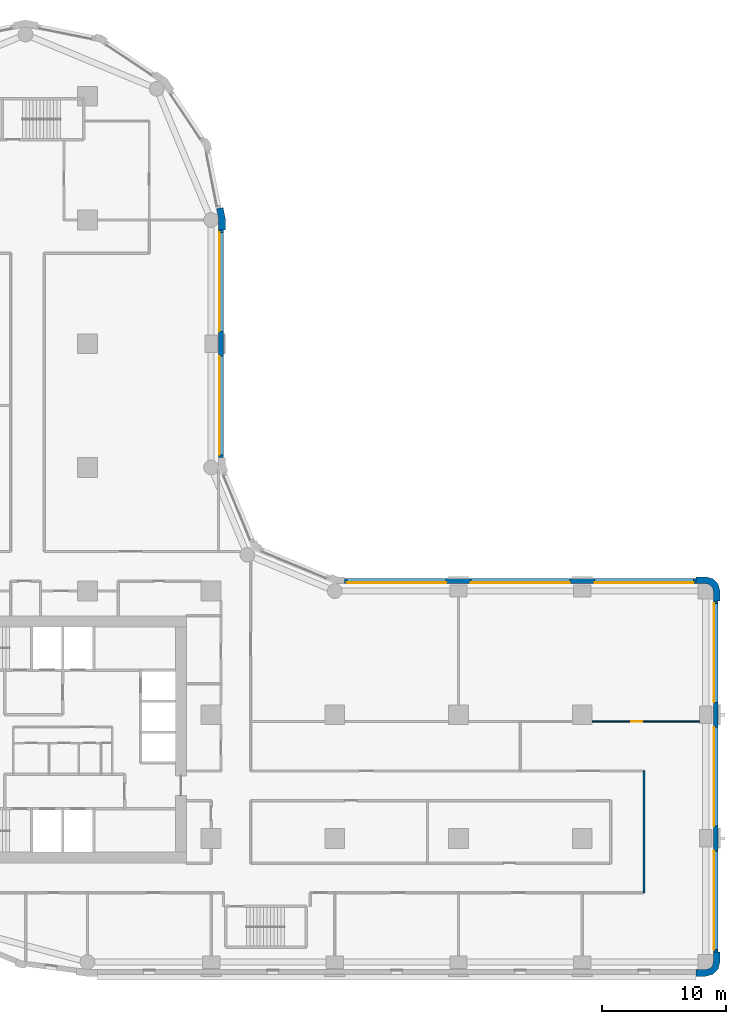
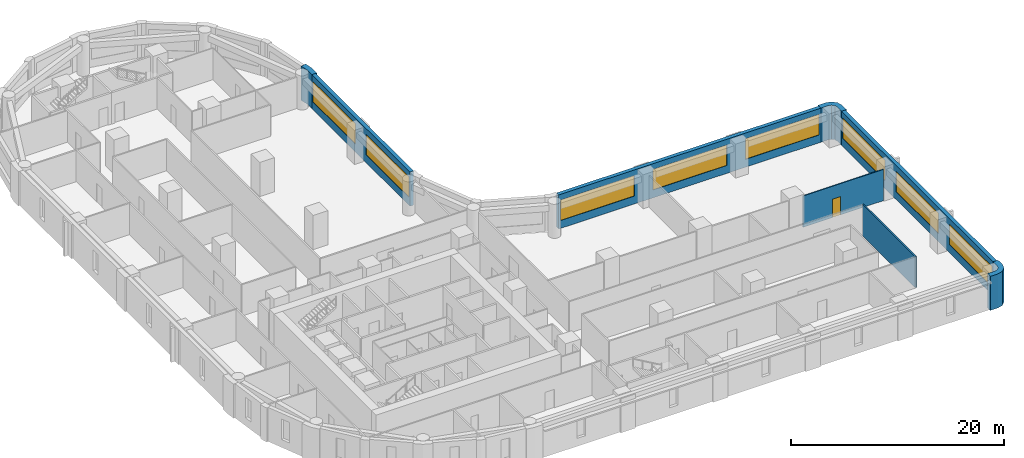
# One storey, part 7 of 11: 8 walls, 8 windows, 1 door, 9 openings.
"""IFC4 building model written with IfcOpenShell, lengths in metres."""

from ifc_helpers import new_model, si_unit, direction, frame, frame_2d, origin, place, context, subcontext, project, spatial, polyline, rectangle, outline, extrude, material, layer, layer_set, type_object, element, fill, save


model = new_model("IFC4")

# Units and contexts
model_context = context("Model", 3, precision=1e-05, world=origin(), true_north=direction((0.0, 1.0)))
body_context = subcontext(model_context, "Body", "Model", "MODEL_VIEW")
ifc_project = project(units=[si_unit("LENGTHUNIT", "METRE"), si_unit("AREAUNIT", "SQUARE_METRE"), si_unit("VOLUMEUNIT", "CUBIC_METRE"), si_unit("PLANEANGLEUNIT", "RADIAN"), si_unit("MASSUNIT", "GRAM", prefix="KILO")], contexts=[model_context])

# Site, building, storey
site_placement = place(None, origin())
site = spatial("IfcSite", under=ifc_project, at=site_placement, CompositionType="ELEMENT")
building_placement = place(site_placement, origin())
building = spatial("IfcBuilding", under=site, at=building_placement, Name="Qaws Garden Tower", CompositionType="ELEMENT")
storey_placement = place(building_placement, frame((0.0, 0.0, 23.699951171875)))
storey = spatial("IfcBuildingStorey", under=building, at=storey_placement, Name="L05", CompositionType="ELEMENT", Elevation=23.699951171875)

# Walls
ifc_material_1 = material(Name="Clay facing brick masonry", Category="masonry")
ifc_layer_1 = layer(ifc_material_1, 0.550048828125)
ifc_layer_set_1 = layer_set([ifc_layer_1], Name="Clay facing brick masonry")
wall_type_1 = type_object("IfcWallType", Name="Brick corner pier 550 x 2400", PredefinedType="SOLIDWALL", material=ifc_layer_set_1)
placement = place(storey_placement, origin())
element("IfcWall", 1, at=placement, inside=storey, type_object=wall_type_1, Name="E-L05-pier-05", PredefinedType="SOLIDWALL", context=body_context, shape_type="SweptSolid", body=[
    extrude(outline(polyline([(69.199951171875, -1.0), (69.199951171875, -1.14990234375), (70.0, -1.14990234375), (70.574951171875, -0.995849609375), (70.995849609375, -0.574951171875), (71.14990234375, 0.0), (71.14990234375, 0.800048828125), (71.0, 0.800048828125), (70.60009765625, 0.800048828125), (70.60009765625, 0.0), (70.51953125, -0.300048828125), (70.300048828125, -0.51953125), (70.0, -0.60009765625), (69.199951171875, -0.60009765625), (69.199951171875, -1.0)])), origin(), (0.0, 0.0, 1.0), 3.900146484375),
])
element("IfcWall", 2, at=placement, inside=storey, type_object=wall_type_1, Name="E-L05-pier-08", PredefinedType="SOLIDWALL", context=body_context, shape_type="SweptSolid", body=[
    extrude(outline(polyline([(71.0, 29.199951171875), (71.14990234375, 29.199951171875), (71.14990234375, 30.0), (70.995849609375, 30.574951171875), (70.574951171875, 30.995849609375), (70.0, 31.14990234375), (69.199951171875, 31.14990234375), (69.199951171875, 31.0), (69.199951171875, 30.60009765625), (70.0, 30.60009765625), (70.300048828125, 30.51953125), (70.51953125, 30.300048828125), (70.60009765625, 30.0), (70.60009765625, 29.199951171875), (71.0, 29.199951171875)])), origin(), (0.0, 0.0, 1.0), 3.900146484375),
])

# Wall, openings, windows
ifc_material_2 = material(Name="Clay facing brick masonry", Category="masonry")
ifc_layer_2 = layer(ifc_material_2, 0.39990234375)
ifc_layer_set_2 = layer_set([ifc_layer_2], Name="Clay facing brick masonry")
wall_type_2 = type_object("IfcWallType", Name="Brick infill wall 400", PredefinedType="SOLIDWALL", material=ifc_layer_set_2)
wall_3_placement = place(storey_placement, frame((70.800048828125, 0.800048828125, 0.0), z_axis=(0.0, 0.0, 1.0), x_axis=(0.0, 1.0, 0.0)))
wall_3 = element("IfcWall", 3, at=wall_3_placement, inside=storey, type_object=wall_type_2, Name="E-L05-infill-05", PredefinedType="SOLIDWALL", context=body_context, shape_type="SweptSolid", body=[
    extrude(rectangle(XDim=28.39990234375, YDim=0.39990234375, at=frame_2d((14.199951171875, 0.0))), origin(), (0.0, 0.0, 1.0), 3.900146484375),
])
opening_1_placement = place(wall_3_placement, frame((0.199951171875, 0.0, 0.89990234375)))
opening_1 = element("IfcOpeningElement", 4, at=opening_1_placement, cuts=wall_3, Name="Opening W01", PredefinedType="OPENING", context=body_context, shape_type="SweptSolid", body=[
    extrude(rectangle(XDim=8.0, YDim=2.35009765625, at=frame_2d((4.0, 1.175048828125))), frame((0.0, 0.2099609375, 0.0), z_axis=(0.0, -1.0, 0.0), x_axis=(1.0, 0.0, 0.0)), (0.0, 0.0, 1.0), 0.419921875),
])
opening_2_placement = place(wall_3_placement, frame((10.199951171875, 0.0, 0.89990234375)))
opening_2 = element("IfcOpeningElement", 5, at=opening_2_placement, cuts=wall_3, Name="Opening W01", PredefinedType="OPENING", context=body_context, shape_type="SweptSolid", body=[
    extrude(rectangle(XDim=8.0, YDim=2.35009765625, at=frame_2d((4.0, 1.175048828125))), frame((0.0, 0.2099609375, 0.0), z_axis=(0.0, -1.0, 0.0), x_axis=(1.0, 0.0, 0.0)), (0.0, 0.0, 1.0), 0.419921875),
])
opening_3_placement = place(wall_3_placement, frame((20.199951171875, 0.0, 0.89990234375)))
opening_3 = element("IfcOpeningElement", 6, at=opening_3_placement, cuts=wall_3, Name="Opening W01", PredefinedType="OPENING", context=body_context, shape_type="SweptSolid", body=[
    extrude(rectangle(XDim=8.0, YDim=2.35009765625, at=frame_2d((4.0, 1.175048828125))), frame((0.0, 0.2099609375, 0.0), z_axis=(0.0, -1.0, 0.0), x_axis=(1.0, 0.0, 0.0)), (0.0, 0.0, 1.0), 0.419921875),
])
ifc_material_3 = material(Name="Aluminium framed window, clear glazing", Category="aluminium")
window_type = type_object("IfcWindowType", Name="Ribbon window 8000 x 2350", PartitioningType="DOUBLE_PANEL_VERTICAL", PredefinedType="WINDOW", material=ifc_material_3)
window_1_placement = place(opening_1_placement, origin())
window_1 = element("IfcWindow", 7, at=window_1_placement, inside=storey, type_object=window_type, Name="E-L05-window-05-0", OverallHeight=2.35009765625, OverallWidth=8.0, PartitioningType="SINGLE_PANEL", PredefinedType="WINDOW", context=body_context, shape_type="SweptSolid", body=[
    extrude(rectangle(XDim=8.0, YDim=2.35009765625, at=frame_2d((4.0, 1.175048828125))), frame((0.0, 0.159912109375, 0.0), z_axis=(0.0, -1.0, 0.0), x_axis=(1.0, 0.0, 0.0)), (0.0, 0.0, 1.0), 0.06005859375),
])
fill(opening_1, window_1)
window_2_placement = place(opening_2_placement, origin())
window_2 = element("IfcWindow", 8, at=window_2_placement, inside=storey, type_object=window_type, Name="E-L05-window-06-0", OverallHeight=2.35009765625, OverallWidth=8.0, PartitioningType="SINGLE_PANEL", PredefinedType="WINDOW", context=body_context, shape_type="SweptSolid", body=[
    extrude(rectangle(XDim=8.0, YDim=2.35009765625, at=frame_2d((4.0, 1.175048828125))), frame((0.0, 0.159912109375, 0.0), z_axis=(0.0, -1.0, 0.0), x_axis=(1.0, 0.0, 0.0)), (0.0, 0.0, 1.0), 0.06005859375),
])
fill(opening_2, window_2)
window_3_placement = place(opening_3_placement, origin())
window_3 = element("IfcWindow", 9, at=window_3_placement, inside=storey, type_object=window_type, Name="E-L05-window-07-0", OverallHeight=2.35009765625, OverallWidth=8.0, PartitioningType="SINGLE_PANEL", PredefinedType="WINDOW", context=body_context, shape_type="SweptSolid", body=[
    extrude(rectangle(XDim=8.0, YDim=2.35009765625, at=frame_2d((4.0, 1.175048828125))), frame((0.0, 0.159912109375, 0.0), z_axis=(0.0, -1.0, 0.0), x_axis=(1.0, 0.0, 0.0)), (0.0, 0.0, 1.0), 0.06005859375),
])
fill(opening_3, window_3)

wall_4_placement = place(storey_placement, frame((69.199951171875, 30.800048828125, 0.0), z_axis=(0.0, 0.0, 1.0), x_axis=(-1.0, 0.0, 0.0)))
wall_4 = element("IfcWall", 10, at=wall_4_placement, inside=storey, type_object=wall_type_2, Name="E-L05-infill-08", PredefinedType="SOLIDWALL", context=body_context, shape_type="SweptSolid", body=[
    extrude(rectangle(XDim=28.39990234375, YDim=0.39990234375, at=frame_2d((14.199951171875, 0.0))), origin(), (0.0, 0.0, 1.0), 3.900146484375),
])
opening_4_placement = place(wall_4_placement, frame((0.199951171875, 0.0, 0.89990234375)))
opening_4 = element("IfcOpeningElement", 11, at=opening_4_placement, cuts=wall_4, Name="Opening W01", PredefinedType="OPENING", context=body_context, shape_type="SweptSolid", body=[
    extrude(rectangle(XDim=8.0, YDim=2.35009765625, at=frame_2d((4.0, 1.175048828125))), frame((0.0, 0.2099609375, 0.0), z_axis=(0.0, -1.0, 0.0), x_axis=(1.0, 0.0, 0.0)), (0.0, 0.0, 1.0), 0.419921875),
])
opening_5_placement = place(wall_4_placement, frame((10.199951171875, 0.0, 0.89990234375)))
opening_5 = element("IfcOpeningElement", 12, at=opening_5_placement, cuts=wall_4, Name="Opening W01", PredefinedType="OPENING", context=body_context, shape_type="SweptSolid", body=[
    extrude(rectangle(XDim=8.0, YDim=2.35009765625, at=frame_2d((4.0, 1.175048828125))), frame((0.0, 0.2099609375, 0.0), z_axis=(0.0, -1.0, 0.0), x_axis=(1.0, 0.0, 0.0)), (0.0, 0.0, 1.0), 0.419921875),
])
opening_6_placement = place(wall_4_placement, frame((20.199951171875, 0.0, 0.89990234375)))
opening_6 = element("IfcOpeningElement", 13, at=opening_6_placement, cuts=wall_4, Name="Opening W01", PredefinedType="OPENING", context=body_context, shape_type="SweptSolid", body=[
    extrude(rectangle(XDim=8.0, YDim=2.35009765625, at=frame_2d((4.0, 1.175048828125))), frame((0.0, 0.2099609375, 0.0), z_axis=(0.0, -1.0, 0.0), x_axis=(1.0, 0.0, 0.0)), (0.0, 0.0, 1.0), 0.419921875),
])
window_4_placement = place(opening_4_placement, origin())
window_4 = element("IfcWindow", 14, at=window_4_placement, inside=storey, type_object=window_type, Name="E-L05-window-08-0", OverallHeight=2.35009765625, OverallWidth=8.0, PartitioningType="SINGLE_PANEL", PredefinedType="WINDOW", context=body_context, shape_type="SweptSolid", body=[
    extrude(rectangle(XDim=8.0, YDim=2.35009765625, at=frame_2d((4.0, 1.175048828125))), frame((0.0, 0.159912109375, 0.0), z_axis=(0.0, -1.0, 0.0), x_axis=(1.0, 0.0, 0.0)), (0.0, 0.0, 1.0), 0.06005859375),
])
fill(opening_4, window_4)
window_5_placement = place(opening_5_placement, origin())
window_5 = element("IfcWindow", 15, at=window_5_placement, inside=storey, type_object=window_type, Name="E-L05-window-09-0", OverallHeight=2.35009765625, OverallWidth=8.0, PartitioningType="SINGLE_PANEL", PredefinedType="WINDOW", context=body_context, shape_type="SweptSolid", body=[
    extrude(rectangle(XDim=8.0, YDim=2.35009765625, at=frame_2d((4.0, 1.175048828125))), frame((0.0, 0.159912109375, 0.0), z_axis=(0.0, -1.0, 0.0), x_axis=(1.0, 0.0, 0.0)), (0.0, 0.0, 1.0), 0.06005859375),
])
fill(opening_5, window_5)
window_6_placement = place(opening_6_placement, origin())
window_6 = element("IfcWindow", 16, at=window_6_placement, inside=storey, type_object=window_type, Name="E-L05-window-10-0", OverallHeight=2.35009765625, OverallWidth=8.0, PartitioningType="SINGLE_PANEL", PredefinedType="WINDOW", context=body_context, shape_type="SweptSolid", body=[
    extrude(rectangle(XDim=8.0, YDim=2.35009765625, at=frame_2d((4.0, 1.175048828125))), frame((0.0, 0.159912109375, 0.0), z_axis=(0.0, -1.0, 0.0), x_axis=(1.0, 0.0, 0.0)), (0.0, 0.0, 1.0), 0.06005859375),
])
fill(opening_6, window_6)

wall_5_placement = place(storey_placement, frame((30.800048828125, 40.800048828125, 0.0), z_axis=(0.0, 0.0, 1.0), x_axis=(0.0, 1.0, 0.0)))
wall_5 = element("IfcWall", 17, at=wall_5_placement, inside=storey, type_object=wall_type_2, Name="E-L05-infill-13", PredefinedType="SOLIDWALL", context=body_context, shape_type="SweptSolid", body=[
    extrude(rectangle(XDim=18.39990234375, YDim=0.39990234375, at=frame_2d((9.199951171875, 0.0))), origin(), (0.0, 0.0, 1.0), 3.900146484375),
])
opening_7_placement = place(wall_5_placement, frame((0.199951171875, 0.0, 0.89990234375)))
opening_7 = element("IfcOpeningElement", 18, at=opening_7_placement, cuts=wall_5, Name="Opening W01", PredefinedType="OPENING", context=body_context, shape_type="SweptSolid", body=[
    extrude(rectangle(XDim=8.0, YDim=2.35009765625, at=frame_2d((4.0, 1.175048828125))), frame((0.0, 0.2099609375, 0.0), z_axis=(0.0, -1.0, 0.0), x_axis=(1.0, 0.0, 0.0)), (0.0, 0.0, 1.0), 0.419921875),
])
opening_8_placement = place(wall_5_placement, frame((10.199951171875, 0.0, 0.89990234375)))
opening_8 = element("IfcOpeningElement", 19, at=opening_8_placement, cuts=wall_5, Name="Opening W01", PredefinedType="OPENING", context=body_context, shape_type="SweptSolid", body=[
    extrude(rectangle(XDim=8.0, YDim=2.35009765625, at=frame_2d((4.0, 1.175048828125))), frame((0.0, 0.2099609375, 0.0), z_axis=(0.0, -1.0, 0.0), x_axis=(1.0, 0.0, 0.0)), (0.0, 0.0, 1.0), 0.419921875),
])
window_7_placement = place(opening_7_placement, origin())
window_7 = element("IfcWindow", 20, at=window_7_placement, inside=storey, type_object=window_type, Name="E-L05-window-13-0", OverallHeight=2.35009765625, OverallWidth=8.0, PartitioningType="SINGLE_PANEL", PredefinedType="WINDOW", context=body_context, shape_type="SweptSolid", body=[
    extrude(rectangle(XDim=8.0, YDim=2.35009765625, at=frame_2d((4.0, 1.175048828125))), frame((0.0, 0.159912109375, 0.0), z_axis=(0.0, -1.0, 0.0), x_axis=(1.0, 0.0, 0.0)), (0.0, 0.0, 1.0), 0.06005859375),
])
fill(opening_7, window_7)
window_8_placement = place(opening_8_placement, origin())
window_8 = element("IfcWindow", 21, at=window_8_placement, inside=storey, type_object=window_type, Name="E-L05-window-14-0", OverallHeight=2.35009765625, OverallWidth=8.0, PartitioningType="SINGLE_PANEL", PredefinedType="WINDOW", context=body_context, shape_type="SweptSolid", body=[
    extrude(rectangle(XDim=8.0, YDim=2.35009765625, at=frame_2d((4.0, 1.175048828125))), frame((0.0, 0.159912109375, 0.0), z_axis=(0.0, -1.0, 0.0), x_axis=(1.0, 0.0, 0.0)), (0.0, 0.0, 1.0), 0.06005859375),
])
fill(opening_8, window_8)

# Wall
ifc_material_4 = material(Name="Clay facing brick masonry", Category="masonry")
ifc_layer_3 = layer(ifc_material_4, 0.550048828125)
ifc_layer_set_3 = layer_set([ifc_layer_3], Name="Clay facing brick masonry")
wall_type_3 = type_object("IfcWallType", Name="Brick pier 550 x 1600", PredefinedType="SOLIDWALL", material=ifc_layer_set_3)
element("IfcWall", 22, at=placement, inside=storey, type_object=wall_type_3, Name="E-L05-pier-15", PredefinedType="SOLIDWALL", context=body_context, shape_type="SweptSolid", body=[
    extrude(outline(polyline([(31.0, 59.199951171875), (31.14990234375, 59.199951171875), (31.14990234375, 60.11328125), (30.971923828125, 61.009033203125), (30.82470703125, 60.979736328125), (30.432373046875, 60.901611328125), (30.60009765625, 60.05908203125), (30.60009765625, 59.199951171875), (31.0, 59.199951171875)])), origin(), (0.0, 0.0, 1.0), 3.900146484375),
])

# Wall, opening, door
ifc_material_5 = material(Name="Gypsum board partition")
ifc_layer_4 = layer(ifc_material_5, 0.10009765625)
ifc_layer_set_4 = layer_set([ifc_layer_4], Name="Gypsum board partition")
wall_type_4 = type_object("IfcWallType", Name="PARTITION 100", PredefinedType="PARTITIONING", material=ifc_layer_set_4)
wall_7_placement = place(storey_placement, frame((60.800048828125, 19.449951171875, 0.0), z_axis=(0.0, 0.0, 1.0), x_axis=(1.0, 0.0, 0.0)))
wall_7 = element("IfcWall", 23, at=wall_7_placement, inside=storey, type_object=wall_type_4, Name="O-L05-wall-003", PredefinedType="PARTITIONING", context=body_context, shape_type="SweptSolid", body=[
    extrude(rectangle(XDim=8.699951171875, YDim=0.10009765625, at=frame_2d((4.35009765625, 0.0))), origin(), (0.0, 0.0, 1.0), 3.580078125),
])
opening_9_placement = place(wall_7_placement, frame((3.14990234375, 0.0, 0.0)))
opening_9 = element("IfcOpeningElement", 24, at=opening_9_placement, cuts=wall_7, Name="Opening A230", PredefinedType="OPENING", context=body_context, shape_type="SweptSolid", body=[
    extrude(rectangle(XDim=0.89990234375, YDim=2.10009765625, at=frame_2d((0.449951171875, 1.050048828125))), frame((0.0, 0.06005859375, 0.0), z_axis=(0.0, -1.0, 0.0), x_axis=(1.0, 0.0, 0.0)), (0.0, 0.0, 1.0), 0.1201171875),
])
ifc_material_6 = material(Name="Timber door leaf", Category="wood")
door_type = type_object("IfcDoorType", Name="OFFICE DOOR 900 X 2100", OperationType="SINGLE_SWING_LEFT", PredefinedType="DOOR", material=ifc_material_6)
door_placement = place(opening_9_placement, frame((0.89990234375, 0.0, 0.0), z_axis=(0.0, 0.0, 1.0), x_axis=(-1.0, 0.0, 0.0)))
door = element("IfcDoor", 25, at=door_placement, inside=storey, type_object=door_type, Name="O-L05-door-030", OperationType="SINGLE_SWING_RIGHT", OverallHeight=2.10009765625, OverallWidth=0.89990234375, PredefinedType="DOOR", context=body_context, shape_type="SweptSolid", body=[
    extrude(rectangle(XDim=0.89990234375, YDim=2.10009765625, at=frame_2d((0.449951171875, 1.050048828125))), frame((0.0, 0.02490234375, 0.0), z_axis=(0.0, -1.0, 0.0), x_axis=(1.0, 0.0, 0.0)), (0.0, 0.0, 1.0), 0.050048828125),
])
fill(opening_9, door)

# Wall
ifc_material_7 = material(Name="Gypsum board partition")
ifc_layer_5 = layer(ifc_material_7, 0.14990234375)
ifc_layer_set_5 = layer_set([ifc_layer_5], Name="Gypsum board partition")
wall_type_5 = type_object("IfcWallType", Name="PARTITION 150 EI 60", PredefinedType="PARTITIONING", material=ifc_layer_set_5)
wall_8_placement = place(storey_placement, frame((65.0, 5.60009765625, 0.0), z_axis=(0.0, 0.0, 1.0), x_axis=(0.0, 1.0, 0.0)))
element("IfcWall", 26, at=wall_8_placement, inside=storey, type_object=wall_type_5, Name="O-L05-wall-035", PredefinedType="PARTITIONING", context=body_context, shape_type="SweptSolid", body=[
    extrude(rectangle(XDim=9.849853515625, YDim=0.14990234375, at=frame_2d((4.9248046875, 0.0))), origin(), (0.0, 0.0, 1.0), 3.580078125),
])

save(model, "model.ifc")
